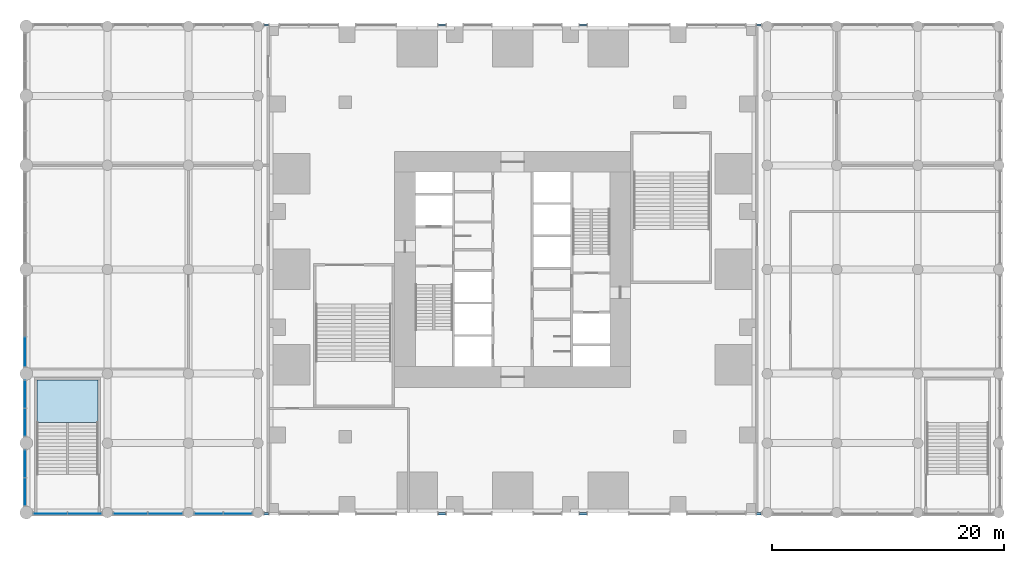
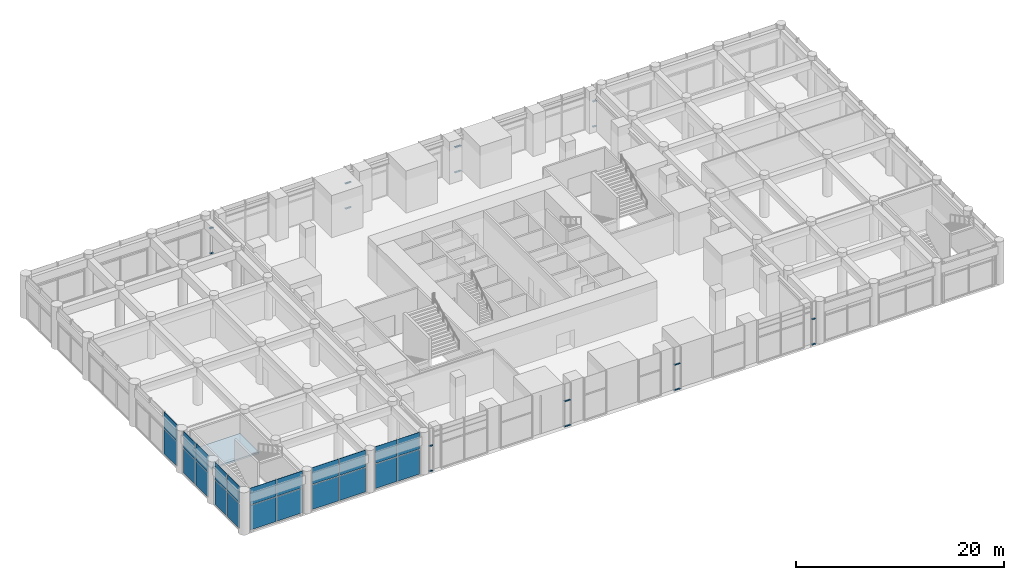
# One storey, part 9 of 23: 22 plates, 16 members, 1 slab, 15 elements without a shape of their own.
"""IFC4 building model written with IfcOpenShell, lengths in metres."""

from ifc_helpers import new_model, si_unit, direction, frame, origin, origin_2d, place, context, subcontext, project, spatial, polyline, rectangle, outline, extrude, material, layer, layer_set, material_profile, profile_set, type_object, element, aggregate, save


model = new_model("IFC4")

# Units and contexts
model_context = context("Model", 3, precision=1e-05, world=origin(), true_north=direction((0.0, 1.0)))
body_context = subcontext(model_context, "Body", "Model", "MODEL_VIEW")
ifc_project = project(units=[si_unit("LENGTHUNIT", "METRE"), si_unit("AREAUNIT", "SQUARE_METRE"), si_unit("VOLUMEUNIT", "CUBIC_METRE"), si_unit("PLANEANGLEUNIT", "RADIAN"), si_unit("MASSUNIT", "GRAM", prefix="KILO")], contexts=[model_context])

# Site, building, storey
site_placement = place(None, origin())
site = spatial("IfcSite", under=ifc_project, at=site_placement, CompositionType="ELEMENT")
building_placement = place(site_placement, origin())
building = spatial("IfcBuilding", under=site, at=building_placement, Name="Svetlomir Tower", CompositionType="ELEMENT")
storey_placement = place(building_placement, frame((0.0, 0.0, 6.0)))
storey = spatial("IfcBuildingStorey", under=building, at=storey_placement, Name="L01", CompositionType="ELEMENT", Elevation=6.0)

# Curtain wall, members
ifc_material_1 = material(Name="Bronze anodised aluminium curtain wall", Category="aluminium")
curtain_wall_type = type_object("IfcCurtainWallType", Name="CURTAIN WALL CW5 PODIUM", PredefinedType="NOTDEFINED", material=ifc_material_1)
curtain_wall_1_placement = place(storey_placement, origin())
curtain_wall_1 = element("IfcCurtainWall", 1, at=curtain_wall_1_placement, inside=storey, type_object=curtain_wall_type, Name="Curtain wall CW5 L01", PredefinedType="NOTDEFINED")
ifc_material_2 = material(Name="Bronze anodised aluminium", Category="aluminium")
ifc_material_profile = material_profile(ifc_material_2, rectangle(XDim=0.179931640625, YDim=0.080078125, at=origin_2d()), Name="AL 180x80")
ifc_profile_set = profile_set([ifc_material_profile], Name="Bronze anodised aluminium 6063-T6")
member_type = type_object("IfcMemberType", Name="CW5 TRANSOM 80x180", PredefinedType="USERDEFINED", material=ifc_profile_set)
member_1_placement = place(storey_placement, frame((-0.469970703125, -0.10009765625, 0.0400390625), z_axis=(1.0, 0.0, 0.0), x_axis=(0.0, 1.0, 0.0)))
member_1 = element("IfcMember", 2, at=member_1_placement, type_object=member_type, Name="CW5 transom 1.1", ObjectType="TRANSOM", PredefinedType="USERDEFINED", context=body_context, shape_type="SweptSolid", body=[
    extrude(rectangle(XDim=0.179931640625, YDim=0.080078125, at=origin_2d()), origin(), (0.0, 0.0, 1.0), 0.389892578125),
])
member_2_placement = place(storey_placement, frame((-0.469970703125, -0.10009765625, 3.0), z_axis=(1.0, 0.0, 0.0), x_axis=(0.0, 1.0, 0.0)))
member_2 = element("IfcMember", 3, at=member_2_placement, type_object=member_type, Name="CW5 transom 1.2", ObjectType="TRANSOM", PredefinedType="USERDEFINED", context=body_context, shape_type="SweptSolid", body=[
    extrude(rectangle(XDim=0.179931640625, YDim=0.080078125, at=origin_2d()), origin(), (0.0, 0.0, 1.0), 0.389892578125),
])
aggregate(curtain_wall_1, [member_1, member_2])

curtain_wall_2_placement = place(storey_placement, origin())
curtain_wall_2 = element("IfcCurtainWall", 4, at=curtain_wall_2_placement, inside=storey, type_object=curtain_wall_type, Name="Curtain wall CW5 L01", PredefinedType="NOTDEFINED")
member_3_placement = place(storey_placement, frame((14.580078125, -0.10009765625, 0.0400390625), z_axis=(1.0, 0.0, 0.0), x_axis=(0.0, 1.0, 0.0)))
member_3 = element("IfcMember", 5, at=member_3_placement, type_object=member_type, Name="CW5 transom 1.1", ObjectType="TRANSOM", PredefinedType="USERDEFINED", context=body_context, shape_type="SweptSolid", body=[
    extrude(rectangle(XDim=0.179931640625, YDim=0.080078125, at=origin_2d()), origin(), (0.0, 0.0, 1.0), 0.639892578125),
])
member_4_placement = place(storey_placement, frame((14.580078125, -0.10009765625, 3.0), z_axis=(1.0, 0.0, 0.0), x_axis=(0.0, 1.0, 0.0)))
member_4 = element("IfcMember", 6, at=member_4_placement, type_object=member_type, Name="CW5 transom 1.2", ObjectType="TRANSOM", PredefinedType="USERDEFINED", context=body_context, shape_type="SweptSolid", body=[
    extrude(rectangle(XDim=0.179931640625, YDim=0.080078125, at=origin_2d()), origin(), (0.0, 0.0, 1.0), 0.639892578125),
])
aggregate(curtain_wall_2, [member_3, member_4])

curtain_wall_3_placement = place(storey_placement, origin())
curtain_wall_3 = element("IfcCurtainWall", 7, at=curtain_wall_3_placement, inside=storey, type_object=curtain_wall_type, Name="Curtain wall CW5 L01", PredefinedType="NOTDEFINED")
member_5_placement = place(storey_placement, frame((26.780029296875, -0.10009765625, 0.0400390625), z_axis=(1.0, 0.0, 0.0), x_axis=(0.0, 1.0, 0.0)))
member_5 = element("IfcMember", 8, at=member_5_placement, type_object=member_type, Name="CW5 transom 1.1", ObjectType="TRANSOM", PredefinedType="USERDEFINED", context=body_context, shape_type="SweptSolid", body=[
    extrude(rectangle(XDim=0.179931640625, YDim=0.080078125, at=origin_2d()), origin(), (0.0, 0.0, 1.0), 0.639892578125),
])
member_6_placement = place(storey_placement, frame((26.780029296875, -0.10009765625, 3.0), z_axis=(1.0, 0.0, 0.0), x_axis=(0.0, 1.0, 0.0)))
member_6 = element("IfcMember", 9, at=member_6_placement, type_object=member_type, Name="CW5 transom 1.2", ObjectType="TRANSOM", PredefinedType="USERDEFINED", context=body_context, shape_type="SweptSolid", body=[
    extrude(rectangle(XDim=0.179931640625, YDim=0.080078125, at=origin_2d()), origin(), (0.0, 0.0, 1.0), 0.639892578125),
])
aggregate(curtain_wall_3, [member_5, member_6])

curtain_wall_4_placement = place(storey_placement, origin())
curtain_wall_4 = element("IfcCurtainWall", 10, at=curtain_wall_4_placement, inside=storey, type_object=curtain_wall_type, Name="Curtain wall CW5 L01", PredefinedType="NOTDEFINED")
member_7_placement = place(storey_placement, frame((42.080078125, -0.10009765625, 0.0400390625), z_axis=(1.0, 0.0, 0.0), x_axis=(0.0, 1.0, 0.0)))
member_7 = element("IfcMember", 11, at=member_7_placement, type_object=member_type, Name="CW5 transom 1.1", ObjectType="TRANSOM", PredefinedType="USERDEFINED", context=body_context, shape_type="SweptSolid", body=[
    extrude(rectangle(XDim=0.179931640625, YDim=0.080078125, at=origin_2d()), origin(), (0.0, 0.0, 1.0), 0.389892578125),
])
member_8_placement = place(storey_placement, frame((42.080078125, -0.10009765625, 3.0), z_axis=(1.0, 0.0, 0.0), x_axis=(0.0, 1.0, 0.0)))
member_8 = element("IfcMember", 12, at=member_8_placement, type_object=member_type, Name="CW5 transom 1.2", ObjectType="TRANSOM", PredefinedType="USERDEFINED", context=body_context, shape_type="SweptSolid", body=[
    extrude(rectangle(XDim=0.179931640625, YDim=0.080078125, at=origin_2d()), origin(), (0.0, 0.0, 1.0), 0.389892578125),
])
aggregate(curtain_wall_4, [member_7, member_8])

curtain_wall_5_placement = place(storey_placement, origin())
curtain_wall_5 = element("IfcCurtainWall", 13, at=curtain_wall_5_placement, inside=storey, type_object=curtain_wall_type, Name="Curtain wall CW5 L01", PredefinedType="NOTDEFINED")
member_9_placement = place(storey_placement, frame((42.469970703125, 42.10009765625, 0.0400390625), z_axis=(-1.0, 0.0, 0.0), x_axis=(0.0, -1.0, 0.0)))
member_9 = element("IfcMember", 14, at=member_9_placement, type_object=member_type, Name="CW5 transom 1.1", ObjectType="TRANSOM", PredefinedType="USERDEFINED", context=body_context, shape_type="SweptSolid", body=[
    extrude(rectangle(XDim=0.179931640625, YDim=0.080078125, at=origin_2d()), origin(), (0.0, 0.0, 1.0), 0.389892578125),
])
member_10_placement = place(storey_placement, frame((42.469970703125, 42.10009765625, 3.0), z_axis=(-1.0, 0.0, 0.0), x_axis=(0.0, -1.0, 0.0)))
member_10 = element("IfcMember", 15, at=member_10_placement, type_object=member_type, Name="CW5 transom 1.2", ObjectType="TRANSOM", PredefinedType="USERDEFINED", context=body_context, shape_type="SweptSolid", body=[
    extrude(rectangle(XDim=0.179931640625, YDim=0.080078125, at=origin_2d()), origin(), (0.0, 0.0, 1.0), 0.389892578125),
])
aggregate(curtain_wall_5, [member_9, member_10])

curtain_wall_6_placement = place(storey_placement, origin())
curtain_wall_6 = element("IfcCurtainWall", 16, at=curtain_wall_6_placement, inside=storey, type_object=curtain_wall_type, Name="Curtain wall CW5 L01", PredefinedType="NOTDEFINED")
member_11_placement = place(storey_placement, frame((27.419921875, 42.10009765625, 0.0400390625), z_axis=(-1.0, 0.0, 0.0), x_axis=(0.0, -1.0, 0.0)))
member_11 = element("IfcMember", 17, at=member_11_placement, type_object=member_type, Name="CW5 transom 1.1", ObjectType="TRANSOM", PredefinedType="USERDEFINED", context=body_context, shape_type="SweptSolid", body=[
    extrude(rectangle(XDim=0.179931640625, YDim=0.080078125, at=origin_2d()), origin(), (0.0, 0.0, 1.0), 0.639892578125),
])
member_12_placement = place(storey_placement, frame((27.419921875, 42.10009765625, 3.0), z_axis=(-1.0, 0.0, 0.0), x_axis=(0.0, -1.0, 0.0)))
member_12 = element("IfcMember", 18, at=member_12_placement, type_object=member_type, Name="CW5 transom 1.2", ObjectType="TRANSOM", PredefinedType="USERDEFINED", context=body_context, shape_type="SweptSolid", body=[
    extrude(rectangle(XDim=0.179931640625, YDim=0.080078125, at=origin_2d()), origin(), (0.0, 0.0, 1.0), 0.639892578125),
])
aggregate(curtain_wall_6, [member_11, member_12])

curtain_wall_7_placement = place(storey_placement, origin())
curtain_wall_7 = element("IfcCurtainWall", 19, at=curtain_wall_7_placement, inside=storey, type_object=curtain_wall_type, Name="Curtain wall CW5 L01", PredefinedType="NOTDEFINED")
member_13_placement = place(storey_placement, frame((15.219970703125, 42.10009765625, 0.0400390625), z_axis=(-1.0, 0.0, 0.0), x_axis=(0.0, -1.0, 0.0)))
member_13 = element("IfcMember", 20, at=member_13_placement, type_object=member_type, Name="CW5 transom 1.1", ObjectType="TRANSOM", PredefinedType="USERDEFINED", context=body_context, shape_type="SweptSolid", body=[
    extrude(rectangle(XDim=0.179931640625, YDim=0.080078125, at=origin_2d()), origin(), (0.0, 0.0, 1.0), 0.639892578125),
])
member_14_placement = place(storey_placement, frame((15.219970703125, 42.10009765625, 3.0), z_axis=(-1.0, 0.0, 0.0), x_axis=(0.0, -1.0, 0.0)))
member_14 = element("IfcMember", 21, at=member_14_placement, type_object=member_type, Name="CW5 transom 1.2", ObjectType="TRANSOM", PredefinedType="USERDEFINED", context=body_context, shape_type="SweptSolid", body=[
    extrude(rectangle(XDim=0.179931640625, YDim=0.080078125, at=origin_2d()), origin(), (0.0, 0.0, 1.0), 0.639892578125),
])
aggregate(curtain_wall_7, [member_13, member_14])

curtain_wall_8_placement = place(storey_placement, origin())
curtain_wall_8 = element("IfcCurtainWall", 22, at=curtain_wall_8_placement, inside=storey, type_object=curtain_wall_type, Name="Curtain wall CW5 L01", PredefinedType="NOTDEFINED")
member_15_placement = place(storey_placement, frame((-0.080078125, 42.10009765625, 0.0400390625), z_axis=(-1.0, 0.0, 0.0), x_axis=(0.0, -1.0, 0.0)))
member_15 = element("IfcMember", 23, at=member_15_placement, type_object=member_type, Name="CW5 transom 1.1", ObjectType="TRANSOM", PredefinedType="USERDEFINED", context=body_context, shape_type="SweptSolid", body=[
    extrude(rectangle(XDim=0.179931640625, YDim=0.080078125, at=origin_2d()), origin(), (0.0, 0.0, 1.0), 0.389892578125),
])
member_16_placement = place(storey_placement, frame((-0.080078125, 42.10009765625, 3.0), z_axis=(-1.0, 0.0, 0.0), x_axis=(0.0, -1.0, 0.0)))
member_16 = element("IfcMember", 24, at=member_16_placement, type_object=member_type, Name="CW5 transom 1.2", ObjectType="TRANSOM", PredefinedType="USERDEFINED", context=body_context, shape_type="SweptSolid", body=[
    extrude(rectangle(XDim=0.179931640625, YDim=0.080078125, at=origin_2d()), origin(), (0.0, 0.0, 1.0), 0.389892578125),
])
aggregate(curtain_wall_8, [member_15, member_16])

# Curtain wall, plates
curtain_wall_9_placement = place(storey_placement, origin())
curtain_wall_9 = element("IfcCurtainWall", 25, at=curtain_wall_9_placement, inside=storey, type_object=curtain_wall_type, Name="Curtain wall CW5 L01", PredefinedType="NOTDEFINED")
ifc_material_3 = material(Name="Tinted double glazed unit", Category="glass")
ifc_layer_1 = layer(ifc_material_3, 0.0400390625)
ifc_layer_set_1 = layer_set([ifc_layer_1], Name="Tinted double glazed unit")
plate_type = type_object("IfcPlateType", Name="CW5 GLAZED PANEL 40", PredefinedType="CURTAIN_PANEL", material=ifc_layer_set_1)
plate_1_placement = place(storey_placement, frame((-18.929931640625, -0.10009765625, 0.080078125), z_axis=(0.0, 0.0, 1.0), x_axis=(1.0, 0.0, 0.0)))
plate_1 = element("IfcPlate", 26, at=plate_1_placement, type_object=plate_type, Name="CW5 panel 1.1", PredefinedType="CURTAIN_PANEL", context=body_context, shape_type="SweptSolid", body=[
    extrude(rectangle(XDim=2.8798828125, YDim=0.0400390625, at=origin_2d()), origin(), (0.0, 0.0, 1.0), 2.8798828125),
])
plate_2_placement = place(storey_placement, frame((-18.929931640625, -0.10009765625, 3.0400390625), z_axis=(0.0, 0.0, 1.0), x_axis=(1.0, 0.0, 0.0)))
plate_2 = element("IfcPlate", 27, at=plate_2_placement, type_object=plate_type, Name="CW5 panel 1.2", PredefinedType="CURTAIN_PANEL", context=body_context, shape_type="SweptSolid", body=[
    extrude(rectangle(XDim=2.8798828125, YDim=0.0400390625, at=origin_2d()), origin(), (0.0, 0.0, 1.0), 1.9599609375),
])
plate_3_placement = place(storey_placement, frame((-15.969970703125, -0.10009765625, 0.080078125), z_axis=(0.0, 0.0, 1.0), x_axis=(1.0, 0.0, 0.0)))
plate_3 = element("IfcPlate", 28, at=plate_3_placement, type_object=plate_type, Name="CW5 panel 2.1", PredefinedType="CURTAIN_PANEL", context=body_context, shape_type="SweptSolid", body=[
    extrude(rectangle(XDim=2.8798828125, YDim=0.0400390625, at=origin_2d()), origin(), (0.0, 0.0, 1.0), 2.8798828125),
])
plate_4_placement = place(storey_placement, frame((-15.969970703125, -0.10009765625, 3.0400390625), z_axis=(0.0, 0.0, 1.0), x_axis=(1.0, 0.0, 0.0)))
plate_4 = element("IfcPlate", 29, at=plate_4_placement, type_object=plate_type, Name="CW5 panel 2.2", PredefinedType="CURTAIN_PANEL", context=body_context, shape_type="SweptSolid", body=[
    extrude(rectangle(XDim=2.8798828125, YDim=0.0400390625, at=origin_2d()), origin(), (0.0, 0.0, 1.0), 1.9599609375),
])
aggregate(curtain_wall_9, [plate_1, plate_2, plate_3, plate_4])

curtain_wall_10_placement = place(storey_placement, origin())
curtain_wall_10 = element("IfcCurtainWall", 30, at=curtain_wall_10_placement, inside=storey, type_object=curtain_wall_type, Name="Curtain wall CW5 L01", PredefinedType="NOTDEFINED")
plate_5_placement = place(storey_placement, frame((-12.0048828125, -0.10009765625, 0.080078125), z_axis=(0.0, 0.0, 1.0), x_axis=(1.0, 0.0, 0.0)))
plate_5 = element("IfcPlate", 31, at=plate_5_placement, type_object=plate_type, Name="CW5 panel 1.1", PredefinedType="CURTAIN_PANEL", context=body_context, shape_type="SweptSolid", body=[
    extrude(rectangle(XDim=2.929931640625, YDim=0.0400390625, at=origin_2d()), origin(), (0.0, 0.0, 1.0), 2.8798828125),
])
plate_6_placement = place(storey_placement, frame((-12.0048828125, -0.10009765625, 3.0400390625), z_axis=(0.0, 0.0, 1.0), x_axis=(1.0, 0.0, 0.0)))
plate_6 = element("IfcPlate", 32, at=plate_6_placement, type_object=plate_type, Name="CW5 panel 1.2", PredefinedType="CURTAIN_PANEL", context=body_context, shape_type="SweptSolid", body=[
    extrude(rectangle(XDim=2.929931640625, YDim=0.0400390625, at=origin_2d()), origin(), (0.0, 0.0, 1.0), 1.9599609375),
])
plate_7_placement = place(storey_placement, frame((-8.9951171875, -0.10009765625, 0.080078125), z_axis=(0.0, 0.0, 1.0), x_axis=(1.0, 0.0, 0.0)))
plate_7 = element("IfcPlate", 33, at=plate_7_placement, type_object=plate_type, Name="CW5 panel 2.1", PredefinedType="CURTAIN_PANEL", context=body_context, shape_type="SweptSolid", body=[
    extrude(rectangle(XDim=2.929931640625, YDim=0.0400390625, at=origin_2d()), origin(), (0.0, 0.0, 1.0), 2.8798828125),
])
plate_8_placement = place(storey_placement, frame((-8.9951171875, -0.10009765625, 3.0400390625), z_axis=(0.0, 0.0, 1.0), x_axis=(1.0, 0.0, 0.0)))
plate_8 = element("IfcPlate", 34, at=plate_8_placement, type_object=plate_type, Name="CW5 panel 2.2", PredefinedType="CURTAIN_PANEL", context=body_context, shape_type="SweptSolid", body=[
    extrude(rectangle(XDim=2.929931640625, YDim=0.0400390625, at=origin_2d()), origin(), (0.0, 0.0, 1.0), 1.9599609375),
])
aggregate(curtain_wall_10, [plate_5, plate_6, plate_7, plate_8])

curtain_wall_11_placement = place(storey_placement, origin())
curtain_wall_11 = element("IfcCurtainWall", 35, at=curtain_wall_11_placement, inside=storey, type_object=curtain_wall_type, Name="Curtain wall CW5 L01", PredefinedType="NOTDEFINED")
plate_9_placement = place(storey_placement, frame((-5.2548828125, -0.10009765625, 0.080078125), z_axis=(0.0, 0.0, 1.0), x_axis=(1.0, 0.0, 0.0)))
plate_9 = element("IfcPlate", 36, at=plate_9_placement, type_object=plate_type, Name="CW5 panel 1.1", PredefinedType="CURTAIN_PANEL", context=body_context, shape_type="SweptSolid", body=[
    extrude(rectangle(XDim=2.429931640625, YDim=0.0400390625, at=origin_2d()), origin(), (0.0, 0.0, 1.0), 2.8798828125),
])
plate_10_placement = place(storey_placement, frame((-5.2548828125, -0.10009765625, 3.0400390625), z_axis=(0.0, 0.0, 1.0), x_axis=(1.0, 0.0, 0.0)))
plate_10 = element("IfcPlate", 37, at=plate_10_placement, type_object=plate_type, Name="CW5 panel 1.2", PredefinedType="CURTAIN_PANEL", context=body_context, shape_type="SweptSolid", body=[
    extrude(rectangle(XDim=2.429931640625, YDim=0.0400390625, at=origin_2d()), origin(), (0.0, 0.0, 1.0), 1.9599609375),
])
plate_11_placement = place(storey_placement, frame((-2.7451171875, -0.10009765625, 0.080078125), z_axis=(0.0, 0.0, 1.0), x_axis=(1.0, 0.0, 0.0)))
plate_11 = element("IfcPlate", 38, at=plate_11_placement, type_object=plate_type, Name="CW5 panel 2.1", PredefinedType="CURTAIN_PANEL", context=body_context, shape_type="SweptSolid", body=[
    extrude(rectangle(XDim=2.429931640625, YDim=0.0400390625, at=origin_2d()), origin(), (0.0, 0.0, 1.0), 2.8798828125),
])
plate_12_placement = place(storey_placement, frame((-2.7451171875, -0.10009765625, 3.0400390625), z_axis=(0.0, 0.0, 1.0), x_axis=(1.0, 0.0, 0.0)))
plate_12 = element("IfcPlate", 39, at=plate_12_placement, type_object=plate_type, Name="CW5 panel 2.2", PredefinedType="CURTAIN_PANEL", context=body_context, shape_type="SweptSolid", body=[
    extrude(rectangle(XDim=2.429931640625, YDim=0.0400390625, at=origin_2d()), origin(), (0.0, 0.0, 1.0), 1.9599609375),
])
aggregate(curtain_wall_11, [plate_9, plate_10, plate_11, plate_12])

curtain_wall_12_placement = place(storey_placement, origin())
curtain_wall_12 = element("IfcCurtainWall", 40, at=curtain_wall_12_placement, inside=storey, type_object=curtain_wall_type, Name="Curtain wall CW5 L01", PredefinedType="NOTDEFINED")
plate_13_placement = place(storey_placement, frame((-21.10009765625, 13.88671875, 0.080078125), z_axis=(0.0, 0.0, 1.0), x_axis=(0.0, -1.0, 0.0)))
plate_13 = element("IfcPlate", 41, at=plate_13_placement, type_object=plate_type, Name="CW5 panel 3.1", PredefinedType="CURTAIN_PANEL", context=body_context, shape_type="SweptSolid", body=[
    extrude(rectangle(XDim=2.513427734375, YDim=0.0400390625, at=origin_2d()), origin(), (0.0, 0.0, 1.0), 2.8798828125),
])
plate_14_placement = place(storey_placement, frame((-21.10009765625, 13.88671875, 3.0400390625), z_axis=(0.0, 0.0, 1.0), x_axis=(0.0, -1.0, 0.0)))
plate_14 = element("IfcPlate", 42, at=plate_14_placement, type_object=plate_type, Name="CW5 panel 3.2", PredefinedType="CURTAIN_PANEL", context=body_context, shape_type="SweptSolid", body=[
    extrude(rectangle(XDim=2.513427734375, YDim=0.0400390625, at=origin_2d()), origin(), (0.0, 0.0, 1.0), 1.9599609375),
])
aggregate(curtain_wall_12, [plate_13, plate_14])

curtain_wall_13_placement = place(storey_placement, origin())
curtain_wall_13 = element("IfcCurtainWall", 43, at=curtain_wall_13_placement, inside=storey, type_object=curtain_wall_type, Name="Curtain wall CW5 L01", PredefinedType="NOTDEFINED")
plate_15_placement = place(storey_placement, frame((-21.10009765625, 10.205078125, 0.080078125), z_axis=(0.0, 0.0, 1.0), x_axis=(0.0, -1.0, 0.0)))
plate_15 = element("IfcPlate", 44, at=plate_15_placement, type_object=plate_type, Name="CW5 panel 1.1", PredefinedType="CURTAIN_PANEL", context=body_context, shape_type="SweptSolid", body=[
    extrude(rectangle(XDim=2.330078125, YDim=0.0400390625, at=origin_2d()), origin(), (0.0, 0.0, 1.0), 2.8798828125),
])
plate_16_placement = place(storey_placement, frame((-21.10009765625, 10.205078125, 3.0400390625), z_axis=(0.0, 0.0, 1.0), x_axis=(0.0, -1.0, 0.0)))
plate_16 = element("IfcPlate", 45, at=plate_16_placement, type_object=plate_type, Name="CW5 panel 1.2", PredefinedType="CURTAIN_PANEL", context=body_context, shape_type="SweptSolid", body=[
    extrude(rectangle(XDim=2.330078125, YDim=0.0400390625, at=origin_2d()), origin(), (0.0, 0.0, 1.0), 1.9599609375),
])
plate_17_placement = place(storey_placement, frame((-21.10009765625, 7.794921875, 0.080078125), z_axis=(0.0, 0.0, 1.0), x_axis=(0.0, -1.0, 0.0)))
plate_17 = element("IfcPlate", 46, at=plate_17_placement, type_object=plate_type, Name="CW5 panel 2.1", PredefinedType="CURTAIN_PANEL", context=body_context, shape_type="SweptSolid", body=[
    extrude(rectangle(XDim=2.330078125, YDim=0.0400390625, at=origin_2d()), origin(), (0.0, 0.0, 1.0), 2.8798828125),
])
plate_18_placement = place(storey_placement, frame((-21.10009765625, 7.794921875, 3.0400390625), z_axis=(0.0, 0.0, 1.0), x_axis=(0.0, -1.0, 0.0)))
plate_18 = element("IfcPlate", 47, at=plate_18_placement, type_object=plate_type, Name="CW5 panel 2.2", PredefinedType="CURTAIN_PANEL", context=body_context, shape_type="SweptSolid", body=[
    extrude(rectangle(XDim=2.330078125, YDim=0.0400390625, at=origin_2d()), origin(), (0.0, 0.0, 1.0), 1.9599609375),
])
aggregate(curtain_wall_13, [plate_15, plate_16, plate_17, plate_18])

curtain_wall_14_placement = place(storey_placement, origin())
curtain_wall_14 = element("IfcCurtainWall", 48, at=curtain_wall_14_placement, inside=storey, type_object=curtain_wall_type, Name="Curtain wall CW5 L01", PredefinedType="NOTDEFINED")
plate_19_placement = place(storey_placement, frame((-21.10009765625, 4.205078125, 0.080078125), z_axis=(0.0, 0.0, 1.0), x_axis=(0.0, -1.0, 0.0)))
plate_19 = element("IfcPlate", 49, at=plate_19_placement, type_object=plate_type, Name="CW5 panel 1.1", PredefinedType="CURTAIN_PANEL", context=body_context, shape_type="SweptSolid", body=[
    extrude(rectangle(XDim=2.330078125, YDim=0.0400390625, at=origin_2d()), origin(), (0.0, 0.0, 1.0), 2.8798828125),
])
plate_20_placement = place(storey_placement, frame((-21.10009765625, 4.205078125, 3.0400390625), z_axis=(0.0, 0.0, 1.0), x_axis=(0.0, -1.0, 0.0)))
plate_20 = element("IfcPlate", 50, at=plate_20_placement, type_object=plate_type, Name="CW5 panel 1.2", PredefinedType="CURTAIN_PANEL", context=body_context, shape_type="SweptSolid", body=[
    extrude(rectangle(XDim=2.330078125, YDim=0.0400390625, at=origin_2d()), origin(), (0.0, 0.0, 1.0), 1.9599609375),
])
plate_21_placement = place(storey_placement, frame((-21.10009765625, 1.794921875, 0.080078125), z_axis=(0.0, 0.0, 1.0), x_axis=(0.0, -1.0, 0.0)))
plate_21 = element("IfcPlate", 51, at=plate_21_placement, type_object=plate_type, Name="CW5 panel 2.1", PredefinedType="CURTAIN_PANEL", context=body_context, shape_type="SweptSolid", body=[
    extrude(rectangle(XDim=2.330078125, YDim=0.0400390625, at=origin_2d()), origin(), (0.0, 0.0, 1.0), 2.8798828125),
])
plate_22_placement = place(storey_placement, frame((-21.10009765625, 1.794921875, 3.0400390625), z_axis=(0.0, 0.0, 1.0), x_axis=(0.0, -1.0, 0.0)))
plate_22 = element("IfcPlate", 52, at=plate_22_placement, type_object=plate_type, Name="CW5 panel 2.2", PredefinedType="CURTAIN_PANEL", context=body_context, shape_type="SweptSolid", body=[
    extrude(rectangle(XDim=2.330078125, YDim=0.0400390625, at=origin_2d()), origin(), (0.0, 0.0, 1.0), 1.9599609375),
])
aggregate(curtain_wall_14, [plate_19, plate_20, plate_21, plate_22])

# Stair, slab
ifc_material_4 = material(Name="Concrete C60/75", Category="concrete")
stair_type = type_object("IfcStairType", Name="EXIT STAIR 5300 RISE 5000", PredefinedType="HALF_TURN_STAIR", material=ifc_material_4)
stair_placement = place(storey_placement, origin())
stair = element("IfcStair", 53, at=stair_placement, inside=storey, type_object=stair_type, Name="Stair P3 L01 to L02", PredefinedType="HALF_TURN_STAIR")
ifc_material_5 = material(Name="Concrete C60/75", Category="concrete")
ifc_layer_2 = layer(ifc_material_5, 0.199951171875)
ifc_layer_set_2 = layer_set([ifc_layer_2], Name="Concrete C60/75")
slab_type = type_object("IfcSlabType", Name="STAIR LANDING 200", PredefinedType="LANDING", material=ifc_layer_set_2)
slab_placement = place(storey_placement, frame((0.0, 0.0, 2.300048828125)))
slab = element("IfcSlab", 54, at=slab_placement, type_object=slab_type, Name="P3 landing 1", PredefinedType="LANDING", context=body_context, shape_type="SweptSolid", body=[
    extrude(outline(polyline([(-20.10009765625, 7.800048828125), (-14.800048828125, 7.800048828125), (-14.800048828125, 11.449951171875), (-20.10009765625, 11.449951171875), (-20.10009765625, 7.800048828125)])), origin(), (0.0, 0.0, 1.0), 0.199951171875),
])
aggregate(stair, [slab])

save(model, "model.ifc")
